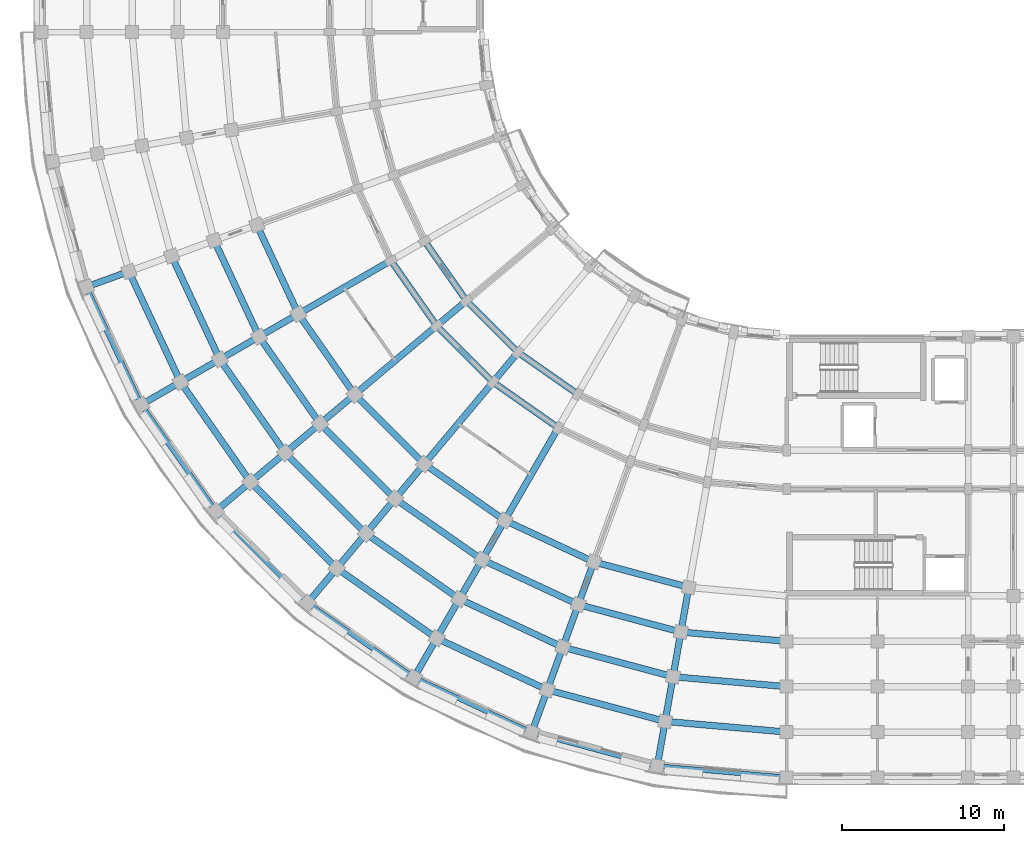
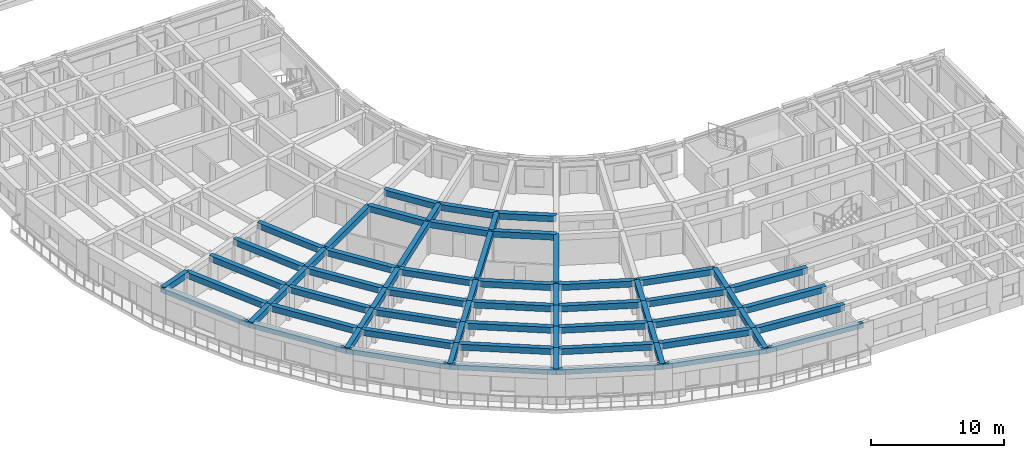
# One storey, part 3 of 54: 71 beams.
"""IFC4 building model written with IfcOpenShell, lengths in metres."""

from ifc_helpers import new_model, si_unit, direction, frame, origin, origin_2d, place, context, subcontext, project, spatial, rectangle, extrude, material, material_profile, profile_set, type_object, element, save


model = new_model("IFC4")

# Units and contexts
model_context = context("Model", 3, precision=1e-05, world=origin(), true_north=direction((0.0, 1.0)))
body_context = subcontext(model_context, "Body", "Model", "MODEL_VIEW")
ifc_project = project(units=[si_unit("LENGTHUNIT", "METRE"), si_unit("AREAUNIT", "SQUARE_METRE"), si_unit("VOLUMEUNIT", "CUBIC_METRE"), si_unit("PLANEANGLEUNIT", "RADIAN"), si_unit("MASSUNIT", "GRAM", prefix="KILO")], contexts=[model_context])

# Site, building, storey
site_placement = place(None, origin())
site = spatial("IfcSite", under=ifc_project, at=site_placement, CompositionType="ELEMENT")
building_placement = place(site_placement, origin())
building = spatial("IfcBuilding", under=site, at=building_placement, Name="Kiranvali Square Residences", CompositionType="ELEMENT")
storey_placement = place(building_placement, frame((0.0, 0.0, 15.0)))
storey = spatial("IfcBuildingStorey", under=building, at=storey_placement, Name="L04", CompositionType="ELEMENT", Elevation=15.0)

# Beams
ifc_material_1 = material(Name="Concrete M45 (45 MPa)", Category="concrete")
ifc_material_profile_1 = material_profile(ifc_material_1, rectangle(XDim=0.39990234375, YDim=0.550048828125, at=origin_2d()), Name="RC 400x550")
ifc_profile_set_1 = profile_set([ifc_material_profile_1], Name="Concrete M45 (45 MPa)")
beam_type_1 = type_object("IfcBeamType", Name="BM-M45-400x550", PredefinedType="BEAM", material=ifc_profile_set_1)
beam_1_placement = place(storey_placement, frame((48.199951171875, 10.60009765625, 2.655029296875), z_axis=(-0.996196991902, 0.0871295204, 0.0), x_axis=(-0.0871295204, -0.996196991902, 0.0)))
element("IfcBeam", 1, at=beam_1_placement, inside=storey, type_object=beam_type_1, Name="L04 beam BM-C-L04-C00-R4", PredefinedType="BEAM", context=body_context, shape_type="SweptSolid", body=[
    extrude(rectangle(XDim=0.39990234375, YDim=0.550048828125, at=origin_2d()), origin(), (0.0, 0.0, 1.0), 6.553955078125),
])
beam_2_placement = place(storey_placement, frame((48.199951171875, 7.800048828125, 2.655029296875), z_axis=(-0.996194658198, 0.087156198737, 0.0), x_axis=(-0.087156198737, -0.996194658198, 0.0)))
element("IfcBeam", 2, at=beam_2_placement, inside=storey, type_object=beam_type_1, Name="L04 beam BM-C-L04-C00-R5", PredefinedType="BEAM", context=body_context, shape_type="SweptSolid", body=[
    extrude(rectangle(XDim=0.39990234375, YDim=0.550048828125, at=origin_2d()), origin(), (0.0, 0.0, 1.0), 7.042236328125),
])
beam_3_placement = place(storey_placement, frame((48.199951171875, 5.0, 2.655029296875), z_axis=(-0.996195195417, 0.087150058103, 0.0), x_axis=(-0.087150058103, -0.996195195417, 0.0)))
element("IfcBeam", 3, at=beam_3_placement, inside=storey, type_object=beam_type_1, Name="L04 beam BM-C-L04-C00-R6", PredefinedType="BEAM", context=body_context, shape_type="SweptSolid", body=[
    extrude(rectangle(XDim=0.39990234375, YDim=0.550048828125, at=origin_2d()), origin(), (0.0, 0.0, 1.0), 7.530029296875),
])
beam_4_placement = place(storey_placement, frame((42.156982421875, 13.9287109375, 2.655029296875), z_axis=(-0.965923618901, 0.258827283048, 0.0), x_axis=(-0.258827283048, -0.965923618901, 0.0)))
element("IfcBeam", 4, at=beam_4_placement, inside=storey, type_object=beam_type_1, Name="L04 beam BM-C-L04-C01-R3", PredefinedType="BEAM", context=body_context, shape_type="SweptSolid", body=[
    extrude(rectangle(XDim=0.39990234375, YDim=0.550048828125, at=origin_2d()), origin(), (0.0, 0.0, 1.0), 6.066162109375),
])
beam_5_placement = place(storey_placement, frame((41.6708984375, 11.171142578125, 2.655029296875), z_axis=(-0.965918287583, 0.258847178297, 0.0), x_axis=(-0.258847178297, -0.965918287583, 0.0)))
element("IfcBeam", 5, at=beam_5_placement, inside=storey, type_object=beam_type_1, Name="L04 beam BM-C-L04-C01-R4", PredefinedType="BEAM", context=body_context, shape_type="SweptSolid", body=[
    extrude(rectangle(XDim=0.39990234375, YDim=0.550048828125, at=origin_2d()), origin(), (0.0, 0.0, 1.0), 6.55419921875),
])
beam_6_placement = place(storey_placement, frame((41.1845703125, 8.413818359375, 2.655029296875), z_axis=(-0.965931029817, 0.258799624492, 0.0), x_axis=(-0.258799624492, -0.965931029817, 0.0)))
element("IfcBeam", 6, at=beam_6_placement, inside=storey, type_object=beam_type_1, Name="L04 beam BM-C-L04-C01-R5", PredefinedType="BEAM", context=body_context, shape_type="SweptSolid", body=[
    extrude(rectangle(XDim=0.39990234375, YDim=0.550048828125, at=origin_2d()), origin(), (0.0, 0.0, 1.0), 7.042236328125),
])
beam_7_placement = place(storey_placement, frame((40.698486328125, 5.65625, 2.655029296875), z_axis=(-0.965925909693, 0.258818733833, 0.0), x_axis=(-0.258818733833, -0.965925909693, 0.0)))
element("IfcBeam", 7, at=beam_7_placement, inside=storey, type_object=beam_type_1, Name="L04 beam BM-C-L04-C01-R6", PredefinedType="BEAM", context=body_context, shape_type="SweptSolid", body=[
    extrude(rectangle(XDim=0.39990234375, YDim=0.550048828125, at=origin_2d()), origin(), (0.0, 0.0, 1.0), 7.5302734375),
])
beam_8_placement = place(storey_placement, frame((36.297607421875, 15.498779296875, 2.655029296875), z_axis=(-0.906312656069, 0.42260781991, 0.0), x_axis=(-0.42260781991, -0.906312656069, 0.0)))
element("IfcBeam", 8, at=beam_8_placement, inside=storey, type_object=beam_type_1, Name="L04 beam BM-C-L04-C02-R3", PredefinedType="BEAM", context=body_context, shape_type="SweptSolid", body=[
    extrude(rectangle(XDim=0.39990234375, YDim=0.550048828125, at=origin_2d()), origin(), (0.0, 0.0, 1.0), 6.06591796875),
])
beam_9_placement = place(storey_placement, frame((35.340087890625, 12.86767578125, 2.655029296875), z_axis=(-0.906318225223, 0.422595876255, 0.0), x_axis=(-0.422595876255, -0.906318225223, 0.0)))
element("IfcBeam", 9, at=beam_9_placement, inside=storey, type_object=beam_type_1, Name="L04 beam BM-C-L04-C02-R4", PredefinedType="BEAM", context=body_context, shape_type="SweptSolid", body=[
    extrude(rectangle(XDim=0.39990234375, YDim=0.550048828125, at=origin_2d()), origin(), (0.0, 0.0, 1.0), 6.55419921875),
])
beam_10_placement = place(storey_placement, frame((34.38232421875, 10.236328125, 2.655029296875), z_axis=(-0.906297360311, 0.422640621205, 0.0), x_axis=(-0.422640621205, -0.906297360311, 0.0)))
element("IfcBeam", 10, at=beam_10_placement, inside=storey, type_object=beam_type_1, Name="L04 beam BM-C-L04-C02-R5", PredefinedType="BEAM", context=body_context, shape_type="SweptSolid", body=[
    extrude(rectangle(XDim=0.39990234375, YDim=0.550048828125, at=origin_2d()), origin(), (0.0, 0.0, 1.0), 7.042236328125),
])
beam_11_placement = place(storey_placement, frame((33.4248046875, 7.605224609375, 2.655029296875), z_axis=(-0.90630982703, 0.422613886933, 0.0), x_axis=(-0.422613886933, -0.90630982703, 0.0)))
element("IfcBeam", 11, at=beam_11_placement, inside=storey, type_object=beam_type_1, Name="L04 beam BM-C-L04-C02-R6", PredefinedType="BEAM", context=body_context, shape_type="SweptSolid", body=[
    extrude(rectangle(XDim=0.39990234375, YDim=0.550048828125, at=origin_2d()), origin(), (0.0, 0.0, 1.0), 7.5302734375),
])
beam_12_placement = place(storey_placement, frame((35.300048828125, 25.8564453125, 2.655029296875), z_axis=(-0.819155404658, 0.573571637217, 0.0), x_axis=(-0.573571637217, -0.819155404658, 0.0)))
element("IfcBeam", 12, at=beam_12_placement, inside=storey, type_object=beam_type_1, Name="L04 beam BM-C-L04-C03-R1", PredefinedType="BEAM", context=body_context, shape_type="SweptSolid", body=[
    extrude(rectangle(XDim=0.39990234375, YDim=0.550048828125, at=origin_2d()), origin(), (0.0, 0.0, 1.0), 4.497314453125),
])
beam_13_placement = place(storey_placement, frame((34.10009765625, 23.778076171875, 2.655029296875), z_axis=(-0.819140911474, 0.573592335331, 0.0), x_axis=(-0.573592335331, -0.819140911474, 0.0)))
element("IfcBeam", 13, at=beam_13_placement, inside=storey, type_object=beam_type_1, Name="L04 beam BM-C-L04-C03-R2", PredefinedType="BEAM", context=body_context, shape_type="SweptSolid", body=[
    extrude(rectangle(XDim=0.39990234375, YDim=0.550048828125, at=origin_2d()), origin(), (0.0, 0.0, 1.0), 4.915771484375),
])
beam_14_placement = place(storey_placement, frame((30.800048828125, 18.062255859375, 2.655029296875), z_axis=(-0.81913926159, 0.573594691504, 0.0), x_axis=(-0.573594691504, -0.81913926159, 0.0)))
element("IfcBeam", 14, at=beam_14_placement, inside=storey, type_object=beam_type_1, Name="L04 beam BM-C-L04-C03-R3", PredefinedType="BEAM", context=body_context, shape_type="SweptSolid", body=[
    extrude(rectangle(XDim=0.39990234375, YDim=0.550048828125, at=origin_2d()), origin(), (0.0, 0.0, 1.0), 6.066162109375),
])
beam_15_placement = place(storey_placement, frame((29.39990234375, 15.637451171875, 2.655029296875), z_axis=(-0.819144409176, 0.573587340268, 0.0), x_axis=(-0.573587340268, -0.819144409176, 0.0)))
element("IfcBeam", 15, at=beam_15_placement, inside=storey, type_object=beam_type_1, Name="L04 beam BM-C-L04-C03-R4", PredefinedType="BEAM", context=body_context, shape_type="SweptSolid", body=[
    extrude(rectangle(XDim=0.39990234375, YDim=0.550048828125, at=origin_2d()), origin(), (0.0, 0.0, 1.0), 6.553955078125),
])
beam_16_placement = place(storey_placement, frame((28.0, 13.212646484375, 2.655029296875), z_axis=(-0.819160249246, 0.57356471828, 0.0), x_axis=(-0.57356471828, -0.819160249246, 0.0)))
element("IfcBeam", 16, at=beam_16_placement, inside=storey, type_object=beam_type_1, Name="L04 beam BM-C-L04-C03-R5", PredefinedType="BEAM", context=body_context, shape_type="SweptSolid", body=[
    extrude(rectangle(XDim=0.39990234375, YDim=0.550048828125, at=origin_2d()), origin(), (0.0, 0.0, 1.0), 7.0419921875),
])
beam_17_placement = place(storey_placement, frame((26.60009765625, 10.78759765625, 2.655029296875), z_axis=(-0.819143569597, 0.573588539275, 0.0), x_axis=(-0.573588539275, -0.819143569597, 0.0)))
element("IfcBeam", 17, at=beam_17_placement, inside=storey, type_object=beam_type_1, Name="L04 beam BM-C-L04-C03-R6", PredefinedType="BEAM", context=body_context, shape_type="SweptSolid", body=[
    extrude(rectangle(XDim=0.39990234375, YDim=0.550048828125, at=origin_2d()), origin(), (0.0, 0.0, 1.0), 7.5302734375),
])
beam_18_placement = place(storey_placement, frame((31.615966796875, 28.43603515625, 2.655029296875), z_axis=(-0.707106781187, 0.707106781187, 0.0), x_axis=(-0.707106781187, -0.707106781187, 0.0)))
element("IfcBeam", 18, at=beam_18_placement, inside=storey, type_object=beam_type_1, Name="L04 beam BM-C-L04-C04-R1", PredefinedType="BEAM", context=body_context, shape_type="SweptSolid", body=[
    extrude(rectangle(XDim=0.39990234375, YDim=0.550048828125, at=origin_2d()), origin(), (0.0, 0.0, 1.0), 4.4970703125),
])
beam_19_placement = place(storey_placement, frame((30.073486328125, 26.59765625, 2.655029296875), z_axis=(-0.707106781187, 0.707106781187, 0.0), x_axis=(-0.707106781187, -0.707106781187, 0.0)))
element("IfcBeam", 19, at=beam_19_placement, inside=storey, type_object=beam_type_1, Name="L04 beam BM-C-L04-C04-R2", PredefinedType="BEAM", context=body_context, shape_type="SweptSolid", body=[
    extrude(rectangle(XDim=0.39990234375, YDim=0.550048828125, at=origin_2d()), origin(), (0.0, 0.0, 1.0), 4.91552734375),
])
beam_20_placement = place(storey_placement, frame((25.8310546875, 21.541748046875, 2.655029296875), z_axis=(-0.707106781187, 0.707106781187, 0.0), x_axis=(-0.707106781187, -0.707106781187, 0.0)))
element("IfcBeam", 20, at=beam_20_placement, inside=storey, type_object=beam_type_1, Name="L04 beam BM-C-L04-C04-R3", PredefinedType="BEAM", context=body_context, shape_type="SweptSolid", body=[
    extrude(rectangle(XDim=0.39990234375, YDim=0.550048828125, at=origin_2d()), origin(), (0.0, 0.0, 1.0), 6.06591796875),
])
beam_21_placement = place(storey_placement, frame((24.03125, 19.396728515625, 2.655029296875), z_axis=(-0.707106781187, 0.707106781187, 0.0), x_axis=(-0.707106781187, -0.707106781187, 0.0)))
element("IfcBeam", 21, at=beam_21_placement, inside=storey, type_object=beam_type_1, Name="L04 beam BM-C-L04-C04-R4", PredefinedType="BEAM", context=body_context, shape_type="SweptSolid", body=[
    extrude(rectangle(XDim=0.39990234375, YDim=0.550048828125, at=origin_2d()), origin(), (0.0, 0.0, 1.0), 6.55419921875),
])
beam_22_placement = place(storey_placement, frame((22.2314453125, 17.251708984375, 2.655029296875), z_axis=(-0.707106781187, 0.707106781187, 0.0), x_axis=(-0.707106781187, -0.707106781187, 0.0)))
element("IfcBeam", 22, at=beam_22_placement, inside=storey, type_object=beam_type_1, Name="L04 beam BM-C-L04-C04-R5", PredefinedType="BEAM", context=body_context, shape_type="SweptSolid", body=[
    extrude(rectangle(XDim=0.39990234375, YDim=0.550048828125, at=origin_2d()), origin(), (0.0, 0.0, 1.0), 7.04248046875),
])
beam_23_placement = place(storey_placement, frame((20.431640625, 15.10693359375, 2.655029296875), z_axis=(-0.707106781187, 0.707106781187, 0.0), x_axis=(-0.707106781187, -0.707106781187, 0.0)))
element("IfcBeam", 23, at=beam_23_placement, inside=storey, type_object=beam_type_1, Name="L04 beam BM-C-L04-C04-R6", PredefinedType="BEAM", context=body_context, shape_type="SweptSolid", body=[
    extrude(rectangle(XDim=0.39990234375, YDim=0.550048828125, at=origin_2d()), origin(), (0.0, 0.0, 1.0), 7.5302734375),
])
beam_24_placement = place(storey_placement, frame((28.43603515625, 31.615966796875, 2.655029296875), z_axis=(-0.573571637217, 0.819155404658, 0.0), x_axis=(-0.819155404658, -0.573571637217, 0.0)))
element("IfcBeam", 24, at=beam_24_placement, inside=storey, type_object=beam_type_1, Name="L04 beam BM-C-L04-C05-R1", PredefinedType="BEAM", context=body_context, shape_type="SweptSolid", body=[
    extrude(rectangle(XDim=0.39990234375, YDim=0.550048828125, at=origin_2d()), origin(), (0.0, 0.0, 1.0), 4.497314453125),
])
beam_25_placement = place(storey_placement, frame((26.59765625, 30.073486328125, 2.655029296875), z_axis=(-0.573592335331, 0.819140911474, 0.0), x_axis=(-0.819140911474, -0.573592335331, 0.0)))
element("IfcBeam", 25, at=beam_25_placement, inside=storey, type_object=beam_type_1, Name="L04 beam BM-C-L04-C05-R2", PredefinedType="BEAM", context=body_context, shape_type="SweptSolid", body=[
    extrude(rectangle(XDim=0.39990234375, YDim=0.550048828125, at=origin_2d()), origin(), (0.0, 0.0, 1.0), 4.915771484375),
])
beam_26_placement = place(storey_placement, frame((21.541748046875, 25.8310546875, 2.655029296875), z_axis=(-0.573594691504, 0.81913926159, 0.0), x_axis=(-0.81913926159, -0.573594691504, 0.0)))
element("IfcBeam", 26, at=beam_26_placement, inside=storey, type_object=beam_type_1, Name="L04 beam BM-C-L04-C05-R3", PredefinedType="BEAM", context=body_context, shape_type="SweptSolid", body=[
    extrude(rectangle(XDim=0.39990234375, YDim=0.550048828125, at=origin_2d()), origin(), (0.0, 0.0, 1.0), 6.066162109375),
])
beam_27_placement = place(storey_placement, frame((19.396728515625, 24.03125, 2.655029296875), z_axis=(-0.573587340268, 0.819144409176, 0.0), x_axis=(-0.819144409176, -0.573587340268, 0.0)))
element("IfcBeam", 27, at=beam_27_placement, inside=storey, type_object=beam_type_1, Name="L04 beam BM-C-L04-C05-R4", PredefinedType="BEAM", context=body_context, shape_type="SweptSolid", body=[
    extrude(rectangle(XDim=0.39990234375, YDim=0.550048828125, at=origin_2d()), origin(), (0.0, 0.0, 1.0), 6.553955078125),
])
beam_28_placement = place(storey_placement, frame((17.251708984375, 22.2314453125, 2.655029296875), z_axis=(-0.57356471828, 0.819160249246, 0.0), x_axis=(-0.819160249246, -0.57356471828, 0.0)))
element("IfcBeam", 28, at=beam_28_placement, inside=storey, type_object=beam_type_1, Name="L04 beam BM-C-L04-C05-R5", PredefinedType="BEAM", context=body_context, shape_type="SweptSolid", body=[
    extrude(rectangle(XDim=0.39990234375, YDim=0.550048828125, at=origin_2d()), origin(), (0.0, 0.0, 1.0), 7.0419921875),
])
beam_29_placement = place(storey_placement, frame((15.10693359375, 20.431640625, 2.655029296875), z_axis=(-0.573588539275, 0.819143569597, 0.0), x_axis=(-0.819143569597, -0.573588539275, 0.0)))
element("IfcBeam", 29, at=beam_29_placement, inside=storey, type_object=beam_type_1, Name="L04 beam BM-C-L04-C05-R6", PredefinedType="BEAM", context=body_context, shape_type="SweptSolid", body=[
    extrude(rectangle(XDim=0.39990234375, YDim=0.550048828125, at=origin_2d()), origin(), (0.0, 0.0, 1.0), 7.5302734375),
])
beam_30_placement = place(storey_placement, frame((18.062255859375, 30.800048828125, 2.655029296875), z_axis=(-0.42260781991, 0.906312656069, 0.0), x_axis=(-0.906312656069, -0.42260781991, 0.0)))
element("IfcBeam", 30, at=beam_30_placement, inside=storey, type_object=beam_type_1, Name="L04 beam BM-C-L04-C06-R3", PredefinedType="BEAM", context=body_context, shape_type="SweptSolid", body=[
    extrude(rectangle(XDim=0.39990234375, YDim=0.550048828125, at=origin_2d()), origin(), (0.0, 0.0, 1.0), 6.06591796875),
])
beam_31_placement = place(storey_placement, frame((15.637451171875, 29.39990234375, 2.655029296875), z_axis=(-0.422595876255, 0.906318225223, 0.0), x_axis=(-0.906318225223, -0.422595876255, 0.0)))
element("IfcBeam", 31, at=beam_31_placement, inside=storey, type_object=beam_type_1, Name="L04 beam BM-C-L04-C06-R4", PredefinedType="BEAM", context=body_context, shape_type="SweptSolid", body=[
    extrude(rectangle(XDim=0.39990234375, YDim=0.550048828125, at=origin_2d()), origin(), (0.0, 0.0, 1.0), 6.55419921875),
])
beam_32_placement = place(storey_placement, frame((13.212646484375, 28.0, 2.655029296875), z_axis=(-0.422640621205, 0.906297360311, 0.0), x_axis=(-0.906297360311, -0.422640621205, 0.0)))
element("IfcBeam", 32, at=beam_32_placement, inside=storey, type_object=beam_type_1, Name="L04 beam BM-C-L04-C06-R5", PredefinedType="BEAM", context=body_context, shape_type="SweptSolid", body=[
    extrude(rectangle(XDim=0.39990234375, YDim=0.550048828125, at=origin_2d()), origin(), (0.0, 0.0, 1.0), 7.042236328125),
])
beam_33_placement = place(storey_placement, frame((10.78759765625, 26.60009765625, 2.655029296875), z_axis=(-0.422613886933, 0.90630982703, 0.0), x_axis=(-0.90630982703, -0.422613886933, 0.0)))
element("IfcBeam", 33, at=beam_33_placement, inside=storey, type_object=beam_type_1, Name="L04 beam BM-C-L04-C06-R6", PredefinedType="BEAM", context=body_context, shape_type="SweptSolid", body=[
    extrude(rectangle(XDim=0.39990234375, YDim=0.550048828125, at=origin_2d()), origin(), (0.0, 0.0, 1.0), 7.5302734375),
])
beam_34_placement = place(storey_placement, frame((42.156982421875, 13.9287109375, 2.655029296875), z_axis=(-0.173596320392, -0.984816895441, 0.0), x_axis=(0.984816895441, -0.173596320392, 0.0)))
element("IfcBeam", 34, at=beam_34_placement, inside=storey, type_object=beam_type_1, Name="L04 beam BM-C-L04-RAD01-34", PredefinedType="BEAM", context=body_context, shape_type="SweptSolid", body=[
    extrude(rectangle(XDim=0.39990234375, YDim=0.550048828125, at=origin_2d()), origin(), (0.0, 0.0, 1.0), 2.800048828125),
])
beam_35_placement = place(storey_placement, frame((41.6708984375, 11.171142578125, 2.655029296875), z_axis=(-0.173695795656, -0.984799355489, 0.0), x_axis=(0.984799355489, -0.173695795656, 0.0)))
element("IfcBeam", 35, at=beam_35_placement, inside=storey, type_object=beam_type_1, Name="L04 beam BM-C-L04-RAD01-45", PredefinedType="BEAM", context=body_context, shape_type="SweptSolid", body=[
    extrude(rectangle(XDim=0.39990234375, YDim=0.550048828125, at=origin_2d()), origin(), (0.0, 0.0, 1.0), 2.7998046875),
])
beam_36_placement = place(storey_placement, frame((41.1845703125, 8.413818359375, 2.655029296875), z_axis=(-0.173596320392, -0.984816895441, 0.0), x_axis=(0.984816895441, -0.173596320392, 0.0)))
element("IfcBeam", 36, at=beam_36_placement, inside=storey, type_object=beam_type_1, Name="L04 beam BM-C-L04-RAD01-56", PredefinedType="BEAM", context=body_context, shape_type="SweptSolid", body=[
    extrude(rectangle(XDim=0.39990234375, YDim=0.550048828125, at=origin_2d()), origin(), (0.0, 0.0, 1.0), 2.800048828125),
])
for number, where, z_axis, x_axis, name in (
    (37, (40.698486328125, 5.65625, 2.655029296875), (-0.173695795656, -0.984799355489, 0.0), (0.984799355489, -0.173695795656, 0.0), "L04 beam BM-C-L04-RAD01-67"),
    (38, (36.297607421875, 15.498779296875, 2.655029296875), (-0.341981089711, -0.93970683422, 0.0), (0.93970683422, -0.341981089711, 0.0), "L04 beam BM-C-L04-RAD02-34"),
):
    element("IfcBeam", number, at=place(storey_placement, frame(where, z_axis=z_axis, x_axis=x_axis)), inside=storey, type_object=beam_type_1, Name=name, PredefinedType="BEAM", context=body_context, shape_type="SweptSolid", body=[
        extrude(rectangle(XDim=0.39990234375, YDim=0.550048828125, at=origin_2d()), origin(), (0.0, 0.0, 1.0), 2.7998046875),
    ])
beam_37_placement = place(storey_placement, frame((35.340087890625, 12.86767578125, 2.655029296875), z_axis=(-0.342030060398, -0.939689011208, 0.0), x_axis=(0.939689011208, -0.342030060398, 0.0)))
element("IfcBeam", 39, at=beam_37_placement, inside=storey, type_object=beam_type_1, Name="L04 beam BM-C-L04-RAD02-45", PredefinedType="BEAM", context=body_context, shape_type="SweptSolid", body=[
    extrude(rectangle(XDim=0.39990234375, YDim=0.550048828125, at=origin_2d()), origin(), (0.0, 0.0, 1.0), 2.80029296875),
])
beam_38_placement = place(storey_placement, frame((34.38232421875, 10.236328125, 2.655029296875), z_axis=(-0.341981089711, -0.93970683422, 0.0), x_axis=(0.93970683422, -0.341981089711, 0.0)))
element("IfcBeam", 40, at=beam_38_placement, inside=storey, type_object=beam_type_1, Name="L04 beam BM-C-L04-RAD02-56", PredefinedType="BEAM", context=body_context, shape_type="SweptSolid", body=[
    extrude(rectangle(XDim=0.39990234375, YDim=0.550048828125, at=origin_2d()), origin(), (0.0, 0.0, 1.0), 2.7998046875),
])
beam_39_placement = place(storey_placement, frame((33.4248046875, 7.605224609375, 2.655029296875), z_axis=(-0.342058084236, -0.939678810556, 0.0), x_axis=(0.939678810556, -0.342058084236, 0.0)))
element("IfcBeam", 41, at=beam_39_placement, inside=storey, type_object=beam_type_1, Name="L04 beam BM-C-L04-RAD02-67", PredefinedType="BEAM", context=body_context, shape_type="SweptSolid", body=[
    extrude(rectangle(XDim=0.39990234375, YDim=0.550048828125, at=origin_2d()), origin(), (0.0, 0.0, 1.0), 2.800048828125),
])
beam_40_placement = place(storey_placement, frame((34.10009765625, 23.778076171875, 2.655029296875), z_axis=(-0.500002094529, -0.866024194504, 0.0), x_axis=(0.866024194504, -0.500002094529, 0.0)))
element("IfcBeam", 42, at=beam_40_placement, inside=storey, type_object=beam_type_1, Name="L04 beam BM-C-L04-RAD03-23", PredefinedType="BEAM", context=body_context, shape_type="SweptSolid", body=[
    extrude(rectangle(XDim=0.39990234375, YDim=0.550048828125, at=origin_2d()), origin(), (0.0, 0.0, 1.0), 6.60009765625),
])
beam_41_placement = place(storey_placement, frame((30.800048828125, 18.062255859375, 2.655029296875), z_axis=(-0.500049511043, -0.865996816683, 0.0), x_axis=(0.865996816683, -0.500049511043, 0.0)))
element("IfcBeam", 43, at=beam_41_placement, inside=storey, type_object=beam_type_1, Name="L04 beam BM-C-L04-RAD03-34", PredefinedType="BEAM", context=body_context, shape_type="SweptSolid", body=[
    extrude(rectangle(XDim=0.39990234375, YDim=0.550048828125, at=origin_2d()), origin(), (0.0, 0.0, 1.0), 2.800048828125),
])
beam_42_placement = place(storey_placement, frame((29.39990234375, 15.637451171875, 2.655029296875), z_axis=(-0.49998411664, -0.866034573852, 0.0), x_axis=(0.866034573852, -0.49998411664, 0.0)))
element("IfcBeam", 44, at=beam_42_placement, inside=storey, type_object=beam_type_1, Name="L04 beam BM-C-L04-RAD03-45", PredefinedType="BEAM", context=body_context, shape_type="SweptSolid", body=[
    extrude(rectangle(XDim=0.39990234375, YDim=0.550048828125, at=origin_2d()), origin(), (0.0, 0.0, 1.0), 2.7998046875),
])
for number, where, z_axis, x_axis, name in (
    (45, (28.0, 13.212646484375, 2.655029296875), (-0.49994636267, -0.866056369097, 0.0), (0.866056369097, -0.49994636267, 0.0), "L04 beam BM-C-L04-RAD03-56"),
    (46, (26.60009765625, 10.78759765625, 2.655029296875), (-0.500049511043, -0.865996816683, 0.0), (0.865996816683, -0.500049511043, 0.0), "L04 beam BM-C-L04-RAD03-67"),
):
    element("IfcBeam", number, at=place(storey_placement, frame(where, z_axis=z_axis, x_axis=x_axis)), inside=storey, type_object=beam_type_1, Name=name, PredefinedType="BEAM", context=body_context, shape_type="SweptSolid", body=[
        extrude(rectangle(XDim=0.39990234375, YDim=0.550048828125, at=origin_2d()), origin(), (0.0, 0.0, 1.0), 2.800048828125),
    ])
beam_43_placement = place(storey_placement, frame((31.615966796875, 28.43603515625, 2.655029296875), z_axis=(-0.642762521781, -0.766065493671, 0.0), x_axis=(0.766065493671, -0.642762521781, 0.0)))
element("IfcBeam", 47, at=beam_43_placement, inside=storey, type_object=beam_type_1, Name="L04 beam BM-C-L04-RAD04-12", PredefinedType="BEAM", context=body_context, shape_type="SweptSolid", body=[
    extrude(rectangle(XDim=0.39990234375, YDim=0.550048828125, at=origin_2d()), origin(), (0.0, 0.0, 1.0), 2.399658203125),
])
beam_44_placement = place(storey_placement, frame((30.073486328125, 26.59765625, 2.655029296875), z_axis=(-0.642789470807, -0.766042881449, 0.0), x_axis=(0.766042881449, -0.642789470807, 0.0)))
element("IfcBeam", 48, at=beam_44_placement, inside=storey, type_object=beam_type_1, Name="L04 beam BM-C-L04-RAD04-23", PredefinedType="BEAM", context=body_context, shape_type="SweptSolid", body=[
    extrude(rectangle(XDim=0.39990234375, YDim=0.550048828125, at=origin_2d()), origin(), (0.0, 0.0, 1.0), 6.60009765625),
])
for number, where, z_axis, x_axis, name in (
    (49, (25.8310546875, 21.541748046875, 2.655029296875), (-0.642770757628, -0.766058583359, 0.0), (0.766058583359, -0.642770757628, 0.0), "L04 beam BM-C-L04-RAD04-34"),
    (50, (24.03125, 19.396728515625, 2.655029296875), (-0.642770757628, -0.766058583359, 0.0), (0.766058583359, -0.642770757628, 0.0), "L04 beam BM-C-L04-RAD04-45"),
):
    element("IfcBeam", number, at=place(storey_placement, frame(where, z_axis=z_axis, x_axis=x_axis)), inside=storey, type_object=beam_type_1, Name=name, PredefinedType="BEAM", context=body_context, shape_type="SweptSolid", body=[
        extrude(rectangle(XDim=0.39990234375, YDim=0.550048828125, at=origin_2d()), origin(), (0.0, 0.0, 1.0), 2.800048828125),
    ])
beam_45_placement = place(storey_placement, frame((22.2314453125, 17.251708984375, 2.655029296875), z_axis=(-0.642813692253, -0.76602255649, 0.0), x_axis=(0.76602255649, -0.642813692253, 0.0)))
element("IfcBeam", 51, at=beam_45_placement, inside=storey, type_object=beam_type_1, Name="L04 beam BM-C-L04-RAD04-56", PredefinedType="BEAM", context=body_context, shape_type="SweptSolid", body=[
    extrude(rectangle(XDim=0.39990234375, YDim=0.550048828125, at=origin_2d()), origin(), (0.0, 0.0, 1.0), 2.7998046875),
])
beam_46_placement = place(storey_placement, frame((20.431640625, 15.10693359375, 2.655029296875), z_axis=(-0.642770757628, -0.766058583359, 0.0), x_axis=(0.766058583359, -0.642770757628, 0.0)))
element("IfcBeam", 52, at=beam_46_placement, inside=storey, type_object=beam_type_1, Name="L04 beam BM-C-L04-RAD04-67", PredefinedType="BEAM", context=body_context, shape_type="SweptSolid", body=[
    extrude(rectangle(XDim=0.39990234375, YDim=0.550048828125, at=origin_2d()), origin(), (0.0, 0.0, 1.0), 2.800048828125),
])
beam_47_placement = place(storey_placement, frame((28.43603515625, 31.615966796875, 2.655029296875), z_axis=(-0.766065493671, -0.642762521781, 0.0), x_axis=(0.642762521781, -0.766065493671, 0.0)))
element("IfcBeam", 53, at=beam_47_placement, inside=storey, type_object=beam_type_1, Name="L04 beam BM-C-L04-RAD05-12", PredefinedType="BEAM", context=body_context, shape_type="SweptSolid", body=[
    extrude(rectangle(XDim=0.39990234375, YDim=0.550048828125, at=origin_2d()), origin(), (0.0, 0.0, 1.0), 2.399658203125),
])
beam_48_placement = place(storey_placement, frame((26.59765625, 30.073486328125, 2.655029296875), z_axis=(-0.766042881449, -0.642789470807, 0.0), x_axis=(0.642789470807, -0.766042881449, 0.0)))
element("IfcBeam", 54, at=beam_48_placement, inside=storey, type_object=beam_type_1, Name="L04 beam BM-C-L04-RAD05-23", PredefinedType="BEAM", context=body_context, shape_type="SweptSolid", body=[
    extrude(rectangle(XDim=0.39990234375, YDim=0.550048828125, at=origin_2d()), origin(), (0.0, 0.0, 1.0), 6.60009765625),
])
for number, where, z_axis, x_axis, name in (
    (55, (21.541748046875, 25.8310546875, 2.655029296875), (-0.766058583359, -0.642770757628, 0.0), (0.642770757628, -0.766058583359, 0.0), "L04 beam BM-C-L04-RAD05-34"),
    (56, (19.396728515625, 24.03125, 2.655029296875), (-0.766058583359, -0.642770757628, 0.0), (0.642770757628, -0.766058583359, 0.0), "L04 beam BM-C-L04-RAD05-45"),
):
    element("IfcBeam", number, at=place(storey_placement, frame(where, z_axis=z_axis, x_axis=x_axis)), inside=storey, type_object=beam_type_1, Name=name, PredefinedType="BEAM", context=body_context, shape_type="SweptSolid", body=[
        extrude(rectangle(XDim=0.39990234375, YDim=0.550048828125, at=origin_2d()), origin(), (0.0, 0.0, 1.0), 2.800048828125),
    ])
beam_49_placement = place(storey_placement, frame((17.251708984375, 22.2314453125, 2.655029296875), z_axis=(-0.76602255649, -0.642813692253, 0.0), x_axis=(0.642813692253, -0.76602255649, 0.0)))
element("IfcBeam", 57, at=beam_49_placement, inside=storey, type_object=beam_type_1, Name="L04 beam BM-C-L04-RAD05-56", PredefinedType="BEAM", context=body_context, shape_type="SweptSolid", body=[
    extrude(rectangle(XDim=0.39990234375, YDim=0.550048828125, at=origin_2d()), origin(), (0.0, 0.0, 1.0), 2.7998046875),
])
beam_50_placement = place(storey_placement, frame((15.10693359375, 20.431640625, 2.655029296875), z_axis=(-0.766058583359, -0.642770757628, 0.0), x_axis=(0.642770757628, -0.766058583359, 0.0)))
element("IfcBeam", 58, at=beam_50_placement, inside=storey, type_object=beam_type_1, Name="L04 beam BM-C-L04-RAD05-67", PredefinedType="BEAM", context=body_context, shape_type="SweptSolid", body=[
    extrude(rectangle(XDim=0.39990234375, YDim=0.550048828125, at=origin_2d()), origin(), (0.0, 0.0, 1.0), 2.800048828125),
])
beam_51_placement = place(storey_placement, frame((23.778076171875, 34.10009765625, 2.655029296875), z_axis=(-0.866024194504, -0.500002094529, 0.0), x_axis=(0.500002094529, -0.866024194504, 0.0)))
element("IfcBeam", 59, at=beam_51_placement, inside=storey, type_object=beam_type_1, Name="L04 beam BM-C-L04-RAD06-23", PredefinedType="BEAM", context=body_context, shape_type="SweptSolid", body=[
    extrude(rectangle(XDim=0.39990234375, YDim=0.550048828125, at=origin_2d()), origin(), (0.0, 0.0, 1.0), 6.60009765625),
])
beam_52_placement = place(storey_placement, frame((18.062255859375, 30.800048828125, 2.655029296875), z_axis=(-0.865996816683, -0.500049511043, 0.0), x_axis=(0.500049511043, -0.865996816683, 0.0)))
element("IfcBeam", 60, at=beam_52_placement, inside=storey, type_object=beam_type_1, Name="L04 beam BM-C-L04-RAD06-34", PredefinedType="BEAM", context=body_context, shape_type="SweptSolid", body=[
    extrude(rectangle(XDim=0.39990234375, YDim=0.550048828125, at=origin_2d()), origin(), (0.0, 0.0, 1.0), 2.800048828125),
])
beam_53_placement = place(storey_placement, frame((15.637451171875, 29.39990234375, 2.655029296875), z_axis=(-0.866034573852, -0.49998411664, 0.0), x_axis=(0.49998411664, -0.866034573852, 0.0)))
element("IfcBeam", 61, at=beam_53_placement, inside=storey, type_object=beam_type_1, Name="L04 beam BM-C-L04-RAD06-45", PredefinedType="BEAM", context=body_context, shape_type="SweptSolid", body=[
    extrude(rectangle(XDim=0.39990234375, YDim=0.550048828125, at=origin_2d()), origin(), (0.0, 0.0, 1.0), 2.7998046875),
])
for number, where, z_axis, x_axis, name in (
    (62, (13.212646484375, 28.0, 2.655029296875), (-0.866056369097, -0.49994636267, 0.0), (0.49994636267, -0.866056369097, 0.0), "L04 beam BM-C-L04-RAD06-56"),
    (63, (10.78759765625, 26.60009765625, 2.655029296875), (-0.865996816683, -0.500049511043, 0.0), (0.500049511043, -0.865996816683, 0.0), "L04 beam BM-C-L04-RAD06-67"),
    (64, (7.605224609375, 33.4248046875, 2.655029296875), (-0.939678810556, -0.342058084236, 0.0), (0.342058084236, -0.939678810556, 0.0), "L04 beam BM-C-L04-RAD07-67"),
):
    element("IfcBeam", number, at=place(storey_placement, frame(where, z_axis=z_axis, x_axis=x_axis)), inside=storey, type_object=beam_type_1, Name=name, PredefinedType="BEAM", context=body_context, shape_type="SweptSolid", body=[
        extrude(rectangle(XDim=0.39990234375, YDim=0.550048828125, at=origin_2d()), origin(), (0.0, 0.0, 1.0), 2.800048828125),
    ])
ifc_material_2 = material(Name="Concrete M40 (40 MPa)", Category="concrete")
ifc_material_profile_2 = material_profile(ifc_material_2, rectangle(XDim=0.300048828125, YDim=0.449951171875, at=origin_2d()), Name="RC 300x450")
ifc_profile_set_2 = profile_set([ifc_material_profile_2], Name="Concrete M40 (40 MPa)")
beam_type_2 = type_object("IfcBeamType", Name="SPN-M40-300x450", PredefinedType="SPANDREL", material=ifc_profile_set_2)
for number, where, z_axis, x_axis, name in (
    (65, (48.199951171875, 2.199951171875, 2.705078125), (-0.996193254792, 0.087172238171, 0.0), (-0.087172238171, -0.996193254792, 0.0), "L04 beam BM-C-L04-C00-R7"),
    (66, (40.212158203125, 2.89892578125, 2.705078125), (-0.96592902462, 0.258807108475, 0.0), (-0.258807108475, -0.96592902462, 0.0), "L04 beam BM-C-L04-C01-R7"),
    (67, (32.467041015625, 4.97412109375, 2.705078125), (-0.906309113636, 0.422615416827, 0.0), (-0.422615416827, -0.906309113636, 0.0), "L04 beam BM-C-L04-C02-R7"),
    (68, (25.199951171875, 8.36279296875, 2.705078125), (-0.819147515001, 0.573582904791, 0.0), (-0.573582904791, -0.819147515001, 0.0), "L04 beam BM-C-L04-C03-R7"),
):
    element("IfcBeam", number, at=place(storey_placement, frame(where, z_axis=z_axis, x_axis=x_axis)), inside=storey, type_object=beam_type_2, Name=name, PredefinedType="SPANDREL", context=body_context, shape_type="SweptSolid", body=[
        extrude(rectangle(XDim=0.300048828125, YDim=0.449951171875, at=origin_2d()), origin(), (0.0, 0.0, 1.0), 8.018310546875),
    ])
beam_54_placement = place(storey_placement, frame((18.6318359375, 12.9619140625, 2.705078125), z_axis=(-0.707106781187, 0.707106781187, 0.0), x_axis=(-0.707106781187, -0.707106781187, 0.0)))
element("IfcBeam", 69, at=beam_54_placement, inside=storey, type_object=beam_type_2, Name="L04 beam BM-C-L04-C04-R7", PredefinedType="SPANDREL", context=body_context, shape_type="SweptSolid", body=[
    extrude(rectangle(XDim=0.300048828125, YDim=0.449951171875, at=origin_2d()), origin(), (0.0, 0.0, 1.0), 8.0185546875),
])
for number, where, z_axis, x_axis, name in (
    (70, (12.9619140625, 18.6318359375, 2.705078125), (-0.573582904791, 0.819147515001, 0.0), (-0.819147515001, -0.573582904791, 0.0), "L04 beam BM-C-L04-C05-R7"),
    (71, (8.36279296875, 25.199951171875, 2.705078125), (-0.422615416827, 0.906309113636, 0.0), (-0.906309113636, -0.422615416827, 0.0), "L04 beam BM-C-L04-C06-R7"),
):
    element("IfcBeam", number, at=place(storey_placement, frame(where, z_axis=z_axis, x_axis=x_axis)), inside=storey, type_object=beam_type_2, Name=name, PredefinedType="SPANDREL", context=body_context, shape_type="SweptSolid", body=[
        extrude(rectangle(XDim=0.300048828125, YDim=0.449951171875, at=origin_2d()), origin(), (0.0, 0.0, 1.0), 8.018310546875),
    ])

save(model, "model.ifc")
